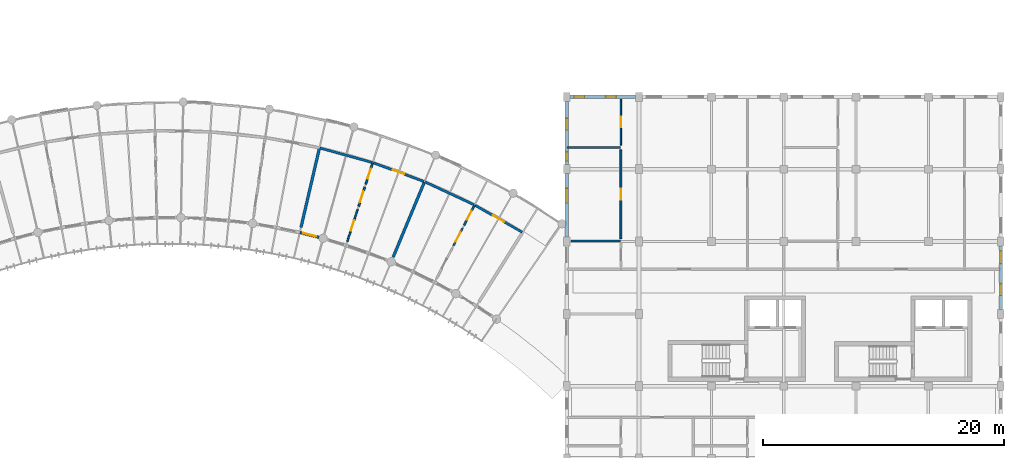
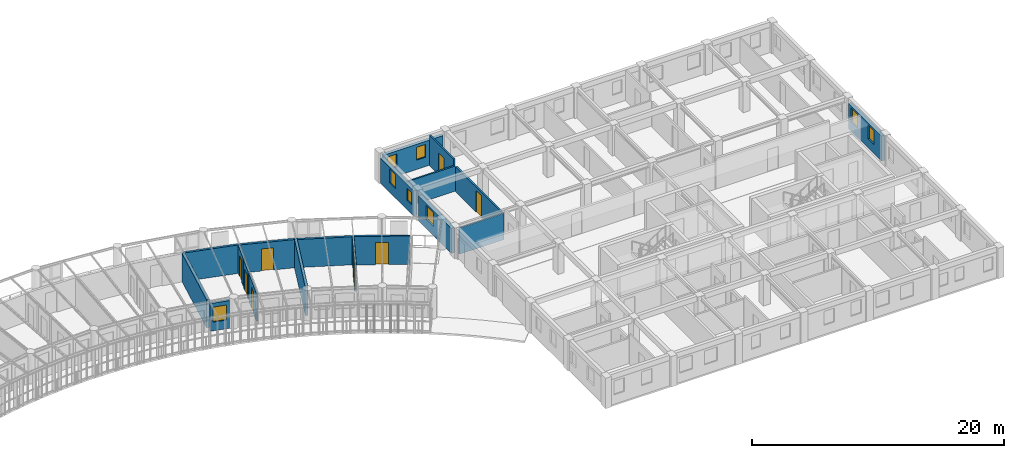
# One storey, part 80 of 100: 20 walls, 9 doors, 8 windows, 17 openings.
"""IFC4 building model written with IfcOpenShell, lengths in metres."""

from ifc_helpers import new_model, si_unit, direction, frame, frame_2d, origin, place, context, subcontext, project, spatial, rectangle, extrude, material, layer, layer_set, type_object, element, fill, save


model = new_model("IFC4")

# Units and contexts
model_context = context("Model", 3, precision=1e-05, world=origin(), true_north=direction((0.0, 1.0)))
body_context = subcontext(model_context, "Body", "Model", "MODEL_VIEW")
ifc_project = project(units=[si_unit("LENGTHUNIT", "METRE"), si_unit("AREAUNIT", "SQUARE_METRE"), si_unit("VOLUMEUNIT", "CUBIC_METRE"), si_unit("PLANEANGLEUNIT", "RADIAN"), si_unit("MASSUNIT", "GRAM", prefix="KILO"), si_unit("POWERUNIT", "WATT"), si_unit("THERMODYNAMICTEMPERATUREUNIT", "KELVIN")], contexts=[model_context])

# Site, building, storey
site_placement = place(None, origin())
site = spatial("IfcSite", under=ifc_project, at=site_placement, CompositionType="ELEMENT")
building_placement = place(site_placement, origin())
building = spatial("IfcBuilding", under=site, at=building_placement, Name="Ruvembo Vaulted Housing Court", CompositionType="ELEMENT")
storey_placement = place(building_placement, frame((0.0, 0.0, 10.89990234375)))
storey = spatial("IfcBuildingStorey", under=building, at=storey_placement, Name="L03", CompositionType="ELEMENT", Elevation=10.89990234375)

# Wall
ifc_material_1 = material(Name="Concrete Blockwork 200", Category="masonry")
ifc_layer_1 = layer(ifc_material_1, 0.199951171875, Name="Concrete Blockwork 200")
ifc_layer_set_1 = layer_set([ifc_layer_1], Name="Concrete Blockwork 200")
wall_type_1 = type_object("IfcWallType", Name="WL-CORR-200", PredefinedType="SOLIDWALL", material=ifc_layer_set_1)
wall_1_placement = place(storey_placement, frame((129.531982421875, 103.7568359375, 0.0), z_axis=(0.0, 0.0, 1.0), x_axis=(0.963830390038, -0.266516377055, 0.0)))
element("IfcWall", 1, at=wall_1_placement, inside=storey, type_object=wall_type_1, Name="L03 Suite SC3-L03-U6 Gallery Wall WL-INT-L03-01075", PredefinedType="SOLIDWALL", context=body_context, shape_type="SweptSolid", body=[
    extrude(rectangle(XDim=4.50146484375, YDim=0.199951171875, at=frame_2d((2.250732421875, 0.0))), origin(), (0.0, 0.0, 1.0), 2.76220703125),
])

# Wall, opening, door
wall_2_placement = place(storey_placement, frame((133.946533203125, 102.53271484375, 0.0), z_axis=(0.0, 0.0, 1.0), x_axis=(0.93839218154, -0.345572154006, 0.0)))
wall_2 = element("IfcWall", 2, at=wall_2_placement, inside=storey, type_object=wall_type_1, Name="L03 Suite SC3-L03-U6 Entrance WL-INT-L03-01076", PredefinedType="SOLIDWALL", context=body_context, shape_type="SweptSolid", body=[
    extrude(rectangle(XDim=4.501708984375, YDim=0.199951171875, at=frame_2d((2.2509765625, 0.0))), origin(), (0.0, 0.0, 1.0), 2.7421875),
])
opening_1_placement = place(wall_2_placement, frame((1.7607421875, 0.0, 0.0)))
opening_1 = element("IfcOpeningElement", 3, at=opening_1_placement, cuts=wall_2, Name="Opening FD2", PredefinedType="OPENING", context=body_context, shape_type="SweptSolid", body=[
    extrude(rectangle(XDim=0.97998046875, YDim=2.14990234375, at=frame_2d((0.489990234375, 1.074951171875))), frame((0.0, 0.10986328125, 0.0), z_axis=(0.0, -1.0, 0.0), x_axis=(1.0, 0.0, 0.0)), (0.0, 0.0, 1.0), 0.219970703125),
])
ifc_material_2 = material(Name="FSC Hardwood and Engineered Timber", Category="wood")
door_type_1 = type_object("IfcDoorType", Name="DR-FLAT-0980x2150", OperationType="NOTDEFINED", PredefinedType="DOOR", material=ifc_material_2)
door_1_placement = place(opening_1_placement, origin())
door_1 = element("IfcDoor", 4, at=door_1_placement, inside=storey, type_object=door_type_1, Name="L03 Suite SC3-L03-U6 Entrance Door DR-INT-L03-00604", OperationType="SINGLE_SWING_RIGHT", OverallHeight=2.14990234375, OverallWidth=0.97998046875, PredefinedType="DOOR", context=body_context, shape_type="SweptSolid", body=[
    extrude(rectangle(XDim=0.97998046875, YDim=2.14990234375, at=frame_2d((0.489990234375, 1.074951171875))), frame((0.0, 0.02490234375, 0.0), z_axis=(0.0, -1.0, 0.0), x_axis=(1.0, 0.0, 0.0)), (0.0, 0.0, 1.0), 0.050048828125),
])
fill(opening_1, door_1)

# Wall
wall_3_placement = place(storey_placement, frame((138.24462890625, 100.9462890625, 0.0), z_axis=(0.0, 0.0, 1.0), x_axis=(0.906512639591, -0.422178675755, 0.0)))
element("IfcWall", 5, at=wall_3_placement, inside=storey, type_object=wall_type_1, Name="L03 Suite SC3-L03-U7 Gallery Wall WL-INT-L03-01081", PredefinedType="SOLIDWALL", context=body_context, shape_type="SweptSolid", body=[
    extrude(rectangle(XDim=4.50146484375, YDim=0.199951171875, at=frame_2d((2.250732421875, 0.0))), origin(), (0.0, 0.0, 1.0), 2.72216796875),
])

# Wall, opening, door
wall_4_placement = place(storey_placement, frame((142.39599609375, 99.00927734375, 0.0), z_axis=(0.0, 0.0, 1.0), x_axis=(0.868376606973, -0.495905301909, 0.0)))
wall_4 = element("IfcWall", 6, at=wall_4_placement, inside=storey, type_object=wall_type_1, Name="L03 Suite SC3-L03-U7 Entrance WL-INT-L03-01082", PredefinedType="SOLIDWALL", context=body_context, shape_type="SweptSolid", body=[
    extrude(rectangle(XDim=4.501708984375, YDim=0.199951171875, at=frame_2d((2.2509765625, 0.0))), origin(), (0.0, 0.0, 1.0), 2.76220703125),
])
opening_2_placement = place(wall_4_placement, frame((1.725830078125, 0.0, 0.0)))
opening_2 = element("IfcOpeningElement", 7, at=opening_2_placement, cuts=wall_4, Name="Opening FD3", PredefinedType="OPENING", context=body_context, shape_type="SweptSolid", body=[
    extrude(rectangle(XDim=1.050048828125, YDim=2.14990234375, at=frame_2d((0.52490234375, 1.074951171875))), frame((0.0, 0.10986328125, 0.0), z_axis=(0.0, -1.0, 0.0), x_axis=(1.0, 0.0, 0.0)), (0.0, 0.0, 1.0), 0.219970703125),
])
door_type_2 = type_object("IfcDoorType", Name="DR-FLAT-1050x2150", OperationType="NOTDEFINED", PredefinedType="DOOR", material=ifc_material_2)
door_2_placement = place(opening_2_placement, origin())
door_2 = element("IfcDoor", 8, at=door_2_placement, inside=storey, type_object=door_type_2, Name="L03 Suite SC3-L03-U7 Entrance Door DR-INT-L03-00608", OperationType="SINGLE_SWING_RIGHT", OverallHeight=2.14990234375, OverallWidth=1.050048828125, PredefinedType="DOOR", context=body_context, shape_type="SweptSolid", body=[
    extrude(rectangle(XDim=1.050048828125, YDim=2.14990234375, at=frame_2d((0.52490234375, 1.074951171875))), frame((0.0, 0.02490234375, 0.0), z_axis=(0.0, -1.0, 0.0), x_axis=(1.0, 0.0, 0.0)), (0.0, 0.0, 1.0), 0.050048828125),
])
fill(opening_2, door_2)

# Walls
ifc_material_3 = material(Name="Acoustic Masonry Demising 230", Category="masonry")
ifc_layer_2 = layer(ifc_material_3, 0.22998046875, Name="Acoustic Masonry Demising 230")
ifc_layer_set_2 = layer_set([ifc_layer_2], Name="Acoustic Masonry Demising 230")
wall_type_2 = type_object("IfcWallType", Name="WL-DEM-230", PredefinedType="SOLIDWALL", material=ifc_layer_set_2)
wall_5_placement = place(storey_placement, frame((127.959716796875, 97.16748046875, 0.0), z_axis=(0.0, 0.0, 1.0), x_axis=(0.226349561734, 0.974046136434, 0.0)))
element("IfcWall", 9, at=wall_5_placement, inside=storey, type_object=wall_type_2, Name="L03 Suite SC3-L03-U5 Demising WL-INT-L03-01074", PredefinedType="SOLIDWALL", context=body_context, shape_type="SweptSolid", body=[
    extrude(rectangle(XDim=6.73583984375, YDim=0.22998046875, at=frame_2d((3.367919921875, 0.0))), origin(), (0.0, 0.0, 1.0), 2.7421875),
])
wall_6_placement = place(storey_placement, frame((135.60498046875, 94.707275390625, 0.0), z_axis=(0.0, 0.0, 1.0), x_axis=(0.384190705314, 0.923253758157, 0.0)))
element("IfcWall", 10, at=wall_6_placement, inside=storey, type_object=wall_type_2, Name="L03 Suite SC3-L03-U6 Demising WL-INT-L03-01080", PredefinedType="SOLIDWALL", context=body_context, shape_type="SweptSolid", body=[
    extrude(rectangle(XDim=6.73583984375, YDim=0.22998046875, at=frame_2d((3.367919921875, 0.0))), origin(), (0.0, 0.0, 1.0), 2.76220703125),
])

# Wall, opening, window
ifc_material_4 = material(Name="Rendered Masonry 235", Category="masonry")
ifc_layer_3 = layer(ifc_material_4, 0.235107421875, Name="Rendered Masonry 235")
ifc_layer_set_3 = layer_set([ifc_layer_3], Name="Rendered Masonry 235")
wall_type_3 = type_object("IfcWallType", Name="WL-EXT-235", PredefinedType="STANDARD", material=ifc_layer_set_3)
wall_7_placement = place(storey_placement, frame((127.88330078125, 96.74951171875, 0.0), z_axis=(0.0, 0.0, 1.0), x_axis=(0.969142943716, -0.246499400902, 0.0)))
wall_7 = element("IfcWall", 11, at=wall_7_placement, inside=storey, type_object=wall_type_3, Name="Scoop SC3 L03 Concave Balcony Wall 20", PredefinedType="STANDARD", context=body_context, shape_type="SweptSolid", body=[
    extrude(rectangle(XDim=1.622314453125, YDim=0.235107421875, at=frame_2d((0.81103515625, 0.0))), origin(), (0.0, 0.0, 1.0), 2.68408203125),
])
opening_3_placement = place(wall_7_placement, frame((0.26123046875, 0.0, 0.85009765625)))
opening_3 = element("IfcOpeningElement", 12, at=opening_3_placement, cuts=wall_7, Name="Opening W10", PredefinedType="OPENING", context=body_context, shape_type="SweptSolid", body=[
    extrude(rectangle(XDim=1.10009765625, YDim=1.449951171875, at=frame_2d((0.550048828125, 0.72509765625))), frame((0.0, 0.12744140625, 0.0), z_axis=(0.0, -1.0, 0.0), x_axis=(1.0, 0.0, 0.0)), (0.0, 0.0, 1.0), 0.255126953125),
])
ifc_material_5 = material(Name="Double Solar-Control Glazing in Aluminium Frame", Category="aluminium")
window_type_1 = type_object("IfcWindowType", Name="WIN-1100x1450", PartitioningType="SINGLE_PANEL", PredefinedType="WINDOW", material=ifc_material_5)
window_1_placement = place(opening_3_placement, origin())
window_1 = element("IfcWindow", 13, at=window_1_placement, inside=storey, type_object=window_type_1, Name="Scoop SC3 L03 Concave Window 20", OverallHeight=1.449951171875, OverallWidth=1.10009765625, PartitioningType="SINGLE_PANEL", PredefinedType="WINDOW", context=body_context, shape_type="SweptSolid", body=[
    extrude(rectangle(XDim=1.10009765625, YDim=1.449951171875, at=frame_2d((0.550048828125, 0.72509765625))), frame((0.0, 0.030029296875, 0.0), z_axis=(0.0, -1.0, 0.0), x_axis=(1.0, 0.0, 0.0)), (0.0, 0.0, 1.0), 0.06005859375),
])
fill(opening_3, window_1)

# Wall, openings, windows
ifc_material_6 = material(Name="Rendered Masonry 300", Category="masonry")
ifc_layer_4 = layer(ifc_material_6, 0.300048828125, Name="Rendered Masonry 300")
ifc_layer_set_4 = layer_set([ifc_layer_4], Name="Rendered Masonry 300")
wall_type_4 = type_object("IfcWallType", Name="WL-EXT-300", PredefinedType="STANDARD", material=ifc_layer_set_4)
wall_8_placement = place(storey_placement, frame((186.0, 90.375, 0.0), z_axis=(0.0, 0.0, 1.0), x_axis=(0.0, 1.0, 0.0)))
wall_8 = element("IfcWall", 14, at=wall_8_placement, inside=storey, type_object=wall_type_4, Name="Block D L03 Exterior Wall EAST #4", PredefinedType="STANDARD", context=body_context, shape_type="SweptSolid", body=[
    extrude(rectangle(XDim=5.25, YDim=0.300048828125, at=frame_2d((2.625, 0.0))), origin(), (0.0, 0.0, 1.0), 2.442138671875),
])
opening_4_placement = place(wall_8_placement, frame((1.16748046875, 0.0, 0.89990234375)))
opening_4 = element("IfcOpeningElement", 15, at=opening_4_placement, cuts=wall_8, Name="Opening W07", PredefinedType="OPENING", context=body_context, shape_type="SweptSolid", body=[
    extrude(rectangle(XDim=0.949951171875, YDim=1.35009765625, at=frame_2d((0.47509765625, 0.675048828125))), frame((0.0, 0.159912109375, 0.0), z_axis=(0.0, -1.0, 0.0), x_axis=(1.0, 0.0, 0.0)), (0.0, 0.0, 1.0), 0.320068359375),
])
opening_5_placement = place(wall_8_placement, frame((3.782470703125, 0.0, 0.89990234375)))
opening_5 = element("IfcOpeningElement", 16, at=opening_5_placement, cuts=wall_8, Name="Opening W09", PredefinedType="OPENING", context=body_context, shape_type="SweptSolid", body=[
    extrude(rectangle(XDim=1.050048828125, YDim=1.35009765625, at=frame_2d((0.52490234375, 0.675048828125))), frame((0.0, 0.159912109375, 0.0), z_axis=(0.0, -1.0, 0.0), x_axis=(1.0, 0.0, 0.0)), (0.0, 0.0, 1.0), 0.320068359375),
])
window_type_2 = type_object("IfcWindowType", Name="WIN-0950x1350", PartitioningType="SINGLE_PANEL", PredefinedType="WINDOW", material=ifc_material_5)
window_2_placement = place(opening_4_placement, origin())
window_2 = element("IfcWindow", 17, at=window_2_placement, inside=storey, type_object=window_type_2, Name="Block D L03 Window #1593", OverallHeight=1.35009765625, OverallWidth=0.949951171875, PartitioningType="SINGLE_PANEL", PredefinedType="WINDOW", context=body_context, shape_type="SweptSolid", body=[
    extrude(rectangle(XDim=0.949951171875, YDim=1.35009765625, at=frame_2d((0.47509765625, 0.675048828125))), frame((0.0, 0.030029296875, 0.0), z_axis=(0.0, -1.0, 0.0), x_axis=(1.0, 0.0, 0.0)), (0.0, 0.0, 1.0), 0.06005859375),
])
fill(opening_4, window_2)
window_type_3 = type_object("IfcWindowType", Name="WIN-1050x1350", PartitioningType="SINGLE_PANEL", PredefinedType="WINDOW", material=ifc_material_5)
window_3_placement = place(opening_5_placement, origin())
window_3 = element("IfcWindow", 18, at=window_3_placement, inside=storey, type_object=window_type_3, Name="Block D L03 Window #1594", OverallHeight=1.35009765625, OverallWidth=1.050048828125, PartitioningType="SINGLE_PANEL", PredefinedType="WINDOW", context=body_context, shape_type="SweptSolid", body=[
    extrude(rectangle(XDim=1.050048828125, YDim=1.35009765625, at=frame_2d((0.52490234375, 0.675048828125))), frame((0.0, 0.030029296875, 0.0), z_axis=(0.0, -1.0, 0.0), x_axis=(1.0, 0.0, 0.0)), (0.0, 0.0, 1.0), 0.06005859375),
])
fill(opening_5, window_3)

wall_9_placement = place(storey_placement, frame((155.72509765625, 108.0, 0.0), z_axis=(0.0, 0.0, 1.0), x_axis=(-1.0, 0.0, 0.0)))
wall_9 = element("IfcWall", 19, at=wall_9_placement, inside=storey, type_object=wall_type_4, Name="Block D L03 Exterior Wall STREET #6", PredefinedType="STANDARD", context=body_context, shape_type="SweptSolid", body=[
    extrude(rectangle(XDim=5.4501953125, YDim=0.300048828125, at=frame_2d((2.72509765625, 0.0))), origin(), (0.0, 0.0, 1.0), 2.442138671875),
])
opening_6_placement = place(wall_9_placement, frame((1.614990234375, 0.0, 0.89990234375)))
opening_6 = element("IfcOpeningElement", 20, at=opening_6_placement, cuts=wall_9, Name="Opening W03", PredefinedType="OPENING", context=body_context, shape_type="SweptSolid", body=[
    extrude(rectangle(XDim=0.85009765625, YDim=1.25, at=frame_2d((0.425048828125, 0.625))), frame((0.0, 0.159912109375, 0.0), z_axis=(0.0, -1.0, 0.0), x_axis=(1.0, 0.0, 0.0)), (0.0, 0.0, 1.0), 0.320068359375),
])
opening_7_placement = place(wall_9_placement, frame((4.25, 0.0, 0.89990234375)))
opening_7 = element("IfcOpeningElement", 21, at=opening_7_placement, cuts=wall_9, Name="Opening W03", PredefinedType="OPENING", context=body_context, shape_type="SweptSolid", body=[
    extrude(rectangle(XDim=0.85009765625, YDim=1.25, at=frame_2d((0.425048828125, 0.625))), frame((0.0, 0.159912109375, 0.0), z_axis=(0.0, -1.0, 0.0), x_axis=(1.0, 0.0, 0.0)), (0.0, 0.0, 1.0), 0.320068359375),
])
window_type_4 = type_object("IfcWindowType", Name="WIN-0850x1250", PartitioningType="SINGLE_PANEL", PredefinedType="WINDOW", material=ifc_material_5)
window_4_placement = place(opening_6_placement, origin())
window_4 = element("IfcWindow", 22, at=window_4_placement, inside=storey, type_object=window_type_4, Name="Block D L03 Window #1609", OverallHeight=1.25, OverallWidth=0.85009765625, PartitioningType="SINGLE_PANEL", PredefinedType="WINDOW", context=body_context, shape_type="SweptSolid", body=[
    extrude(rectangle(XDim=0.85009765625, YDim=1.25, at=frame_2d((0.425048828125, 0.625))), frame((0.0, 0.030029296875, 0.0), z_axis=(0.0, -1.0, 0.0), x_axis=(1.0, 0.0, 0.0)), (0.0, 0.0, 1.0), 0.06005859375),
])
fill(opening_6, window_4)
window_5_placement = place(opening_7_placement, origin())
window_5 = element("IfcWindow", 23, at=window_5_placement, inside=storey, type_object=window_type_4, Name="Block D L03 Window #1610", OverallHeight=1.25, OverallWidth=0.85009765625, PartitioningType="SINGLE_PANEL", PredefinedType="WINDOW", context=body_context, shape_type="SweptSolid", body=[
    extrude(rectangle(XDim=0.85009765625, YDim=1.25, at=frame_2d((0.425048828125, 0.625))), frame((0.0, 0.030029296875, 0.0), z_axis=(0.0, -1.0, 0.0), x_axis=(1.0, 0.0, 0.0)), (0.0, 0.0, 1.0), 0.06005859375),
])
fill(opening_7, window_5)

wall_10_placement = place(storey_placement, frame((150.0, 107.625, 0.0), z_axis=(0.0, 0.0, 1.0), x_axis=(0.0, -1.0, 0.0)))
wall_10 = element("IfcWall", 24, at=wall_10_placement, inside=storey, type_object=wall_type_4, Name="Block D L03 Exterior Wall WEST #1", PredefinedType="STANDARD", context=body_context, shape_type="SweptSolid", body=[
    extrude(rectangle(XDim=5.25, YDim=0.300048828125, at=frame_2d((2.625, 0.0))), origin(), (0.0, 0.0, 1.0), 2.442138671875),
])
opening_8_placement = place(wall_10_placement, frame((1.41748046875, 0.0, 0.89990234375)))
opening_8 = element("IfcOpeningElement", 25, at=opening_8_placement, cuts=wall_10, Name="Opening W07", PredefinedType="OPENING", context=body_context, shape_type="SweptSolid", body=[
    extrude(rectangle(XDim=0.949951171875, YDim=1.35009765625, at=frame_2d((0.47509765625, 0.675048828125))), frame((0.0, 0.159912109375, 0.0), z_axis=(0.0, -1.0, 0.0), x_axis=(1.0, 0.0, 0.0)), (0.0, 0.0, 1.0), 0.320068359375),
])
opening_9_placement = place(wall_10_placement, frame((4.1826171875, 0.0, 0.89990234375)))
opening_9 = element("IfcOpeningElement", 26, at=opening_9_placement, cuts=wall_10, Name="Opening W01", PredefinedType="OPENING", context=body_context, shape_type="SweptSolid", body=[
    extrude(rectangle(XDim=0.75, YDim=1.14990234375, at=frame_2d((0.375, 0.574951171875))), frame((0.0, 0.159912109375, 0.0), z_axis=(0.0, -1.0, 0.0), x_axis=(1.0, 0.0, 0.0)), (0.0, 0.0, 1.0), 0.320068359375),
])
window_type_5 = type_object("IfcWindowType", Name="WIN-0750x1150", PartitioningType="SINGLE_PANEL", PredefinedType="WINDOW", material=ifc_material_5)
window_6_placement = place(opening_9_placement, origin())
window_6 = element("IfcWindow", 27, at=window_6_placement, inside=storey, type_object=window_type_5, Name="Block D L03 Window #1612", OverallHeight=1.14990234375, OverallWidth=0.75, PartitioningType="SINGLE_PANEL", PredefinedType="WINDOW", context=body_context, shape_type="SweptSolid", body=[
    extrude(rectangle(XDim=0.75, YDim=1.14990234375, at=frame_2d((0.375, 0.574951171875))), frame((0.0, 0.030029296875, 0.0), z_axis=(0.0, -1.0, 0.0), x_axis=(1.0, 0.0, 0.0)), (0.0, 0.0, 1.0), 0.06005859375),
])
fill(opening_9, window_6)
window_7_placement = place(opening_8_placement, origin())
window_7 = element("IfcWindow", 28, at=window_7_placement, inside=storey, type_object=window_type_2, Name="Block D L03 Window #1611", OverallHeight=1.35009765625, OverallWidth=0.949951171875, PartitioningType="SINGLE_PANEL", PredefinedType="WINDOW", context=body_context, shape_type="SweptSolid", body=[
    extrude(rectangle(XDim=0.949951171875, YDim=1.35009765625, at=frame_2d((0.47509765625, 0.675048828125))), frame((0.0, 0.030029296875, 0.0), z_axis=(0.0, -1.0, 0.0), x_axis=(1.0, 0.0, 0.0)), (0.0, 0.0, 1.0), 0.06005859375),
])
fill(opening_8, window_7)

# Wall, opening, window
wall_11_placement = place(storey_placement, frame((150.0, 101.625, 0.0), z_axis=(0.0, 0.0, 1.0), x_axis=(0.0, -1.0, 0.0)))
wall_11 = element("IfcWall", 29, at=wall_11_placement, inside=storey, type_object=wall_type_4, Name="Block D L03 Exterior Wall WEST #2", PredefinedType="STANDARD", context=body_context, shape_type="SweptSolid", body=[
    extrude(rectangle(XDim=5.25, YDim=0.300048828125, at=frame_2d((2.625, 0.0))), origin(), (0.0, 0.0, 1.0), 2.442138671875),
])
opening_10_placement = place(wall_11_placement, frame((1.2138671875, 0.0, 0.89990234375)))
opening_10 = element("IfcOpeningElement", 30, at=opening_10_placement, cuts=wall_11, Name="Opening W12", PredefinedType="OPENING", context=body_context, shape_type="SweptSolid", body=[
    extrude(rectangle(XDim=1.199951171875, YDim=1.35009765625, at=frame_2d((0.60009765625, 0.675048828125))), frame((0.0, 0.159912109375, 0.0), z_axis=(0.0, -1.0, 0.0), x_axis=(1.0, 0.0, 0.0)), (0.0, 0.0, 1.0), 0.320068359375),
])
window_type_6 = type_object("IfcWindowType", Name="WIN-1200x1350", PartitioningType="SINGLE_PANEL", PredefinedType="WINDOW", material=ifc_material_5)
window_8_placement = place(opening_10_placement, origin())
window_8 = element("IfcWindow", 31, at=window_8_placement, inside=storey, type_object=window_type_6, Name="Block D L03 Window #1613", OverallHeight=1.35009765625, OverallWidth=1.199951171875, PartitioningType="SINGLE_PANEL", PredefinedType="WINDOW", context=body_context, shape_type="SweptSolid", body=[
    extrude(rectangle(XDim=1.199951171875, YDim=1.35009765625, at=frame_2d((0.60009765625, 0.675048828125))), frame((0.0, 0.030029296875, 0.0), z_axis=(0.0, -1.0, 0.0), x_axis=(1.0, 0.0, 0.0)), (0.0, 0.0, 1.0), 0.06005859375),
])
fill(opening_10, window_8)

# Wall, opening, door
ifc_material_7 = material(Name="Plasterboard Stud Partition 125", Category="gypsum")
ifc_layer_5 = layer(ifc_material_7, 0.125, Name="Plasterboard Stud Partition 125")
ifc_layer_set_5 = layer_set([ifc_layer_5], Name="Plasterboard Stud Partition 125")
wall_type_5 = type_object("IfcWallType", Name="WL-PART-125", PredefinedType="PARTITIONING", material=ifc_layer_set_5)
wall_12_placement = place(storey_placement, frame((154.5, 103.989990234375, 0.0), z_axis=(0.0, 0.0, 1.0), x_axis=(0.0, 1.0, 0.0)))
wall_12 = element("IfcWall", 32, at=wall_12_placement, inside=storey, type_object=wall_type_5, Name="L03 Flat D-L03-N1 Bedroom 1 WL-INT-L03-00959", PredefinedType="PARTITIONING", context=body_context, shape_type="SweptSolid", body=[
    extrude(rectangle(XDim=3.820068359375, YDim=0.125, at=frame_2d((1.91015625, 0.0))), origin(), (0.0, 0.0, 1.0), 2.960205078125),
])
opening_11_placement = place(wall_12_placement, frame((1.469970703125, 0.0, 0.0)))
opening_11 = element("IfcOpeningElement", 33, at=opening_11_placement, cuts=wall_12, Name="Opening ID3", PredefinedType="OPENING", context=body_context, shape_type="SweptSolid", body=[
    extrude(rectangle(XDim=0.8798828125, YDim=2.10009765625, at=frame_2d((0.43994140625, 1.050048828125))), frame((0.0, 0.072509765625, 0.0), z_axis=(0.0, -1.0, 0.0), x_axis=(1.0, 0.0, 0.0)), (0.0, 0.0, 1.0), 0.14501953125),
])
door_type_3 = type_object("IfcDoorType", Name="DR-ROOM-0880x2100", OperationType="NOTDEFINED", PredefinedType="DOOR", material=ifc_material_2)
door_3_placement = place(opening_11_placement, origin())
door_3 = element("IfcDoor", 34, at=door_3_placement, inside=storey, type_object=door_type_3, Name="L03 Flat D-L03-N1 Bedroom 1 Door DR-INT-L03-00527", OperationType="SINGLE_SWING_LEFT", OverallHeight=2.10009765625, OverallWidth=0.8798828125, PredefinedType="DOOR", context=body_context, shape_type="SweptSolid", body=[
    extrude(rectangle(XDim=0.8798828125, YDim=2.10009765625, at=frame_2d((0.43994140625, 1.050048828125))), frame((0.0, 0.02490234375, 0.0), z_axis=(0.0, -1.0, 0.0), x_axis=(1.0, 0.0, 0.0)), (0.0, 0.0, 1.0), 0.050048828125),
])
fill(opening_11, door_3)

ifc_material_8 = material(Name="Acoustic Stud Partition 135", Category="gypsum")
ifc_layer_6 = layer(ifc_material_8, 0.135009765625, Name="Acoustic Stud Partition 135")
ifc_layer_set_6 = layer_set([ifc_layer_6], Name="Acoustic Stud Partition 135")
wall_type_6 = type_object("IfcWallType", Name="WL-PART-135", PredefinedType="PARTITIONING", material=ifc_layer_set_6)
wall_13_placement = place(storey_placement, frame((131.80419921875, 96.0048828125, 0.0), z_axis=(0.0, 0.0, 1.0), x_axis=(0.306243449584, 0.951953228676, 0.0)))
wall_13 = element("IfcWall", 35, at=wall_13_placement, inside=storey, type_object=wall_type_6, Name="L03 Suite SC3-L03-U6 Bedroom WL-INT-L03-01077", PredefinedType="PARTITIONING", context=body_context, shape_type="SweptSolid", body=[
    extrude(rectangle(XDim=2.7998046875, YDim=0.135009765625, at=frame_2d((1.39990234375, 0.0))), origin(), (0.0, 0.0, 1.0), 2.72216796875),
])
opening_12_placement = place(wall_13_placement, frame((0.9599609375, 0.0, 0.0)))
opening_12 = element("IfcOpeningElement", 36, at=opening_12_placement, cuts=wall_13, Name="Opening ID3", PredefinedType="OPENING", context=body_context, shape_type="SweptSolid", body=[
    extrude(rectangle(XDim=0.8798828125, YDim=2.10009765625, at=frame_2d((0.43994140625, 1.050048828125))), frame((0.0, 0.077392578125, 0.0), z_axis=(0.0, -1.0, 0.0), x_axis=(1.0, 0.0, 0.0)), (0.0, 0.0, 1.0), 0.155029296875),
])
door_4_placement = place(opening_12_placement, origin())
door_4 = element("IfcDoor", 37, at=door_4_placement, inside=storey, type_object=door_type_3, Name="L03 Suite SC3-L03-U6 Bedroom Door DR-INT-L03-00605", OperationType="SINGLE_SWING_LEFT", OverallHeight=2.10009765625, OverallWidth=0.8798828125, PredefinedType="DOOR", context=body_context, shape_type="SweptSolid", body=[
    extrude(rectangle(XDim=0.8798828125, YDim=2.10009765625, at=frame_2d((0.43994140625, 1.050048828125))), frame((0.0, 0.02490234375, 0.0), z_axis=(0.0, -1.0, 0.0), x_axis=(1.0, 0.0, 0.0)), (0.0, 0.0, 1.0), 0.050048828125),
])
fill(opening_12, door_4)

# Walls
ifc_material_9 = material(Name="Moisture-Resistant Wet Partition 150", Category="gypsum")
ifc_layer_7 = layer(ifc_material_9, 0.14990234375, Name="Moisture-Resistant Wet Partition 150")
ifc_layer_set_7 = layer_set([ifc_layer_7], Name="Moisture-Resistant Wet Partition 150")
wall_type_7 = type_object("IfcWallType", Name="WL-PART-150", PredefinedType="PARTITIONING", material=ifc_layer_set_7)
wall_14_placement = place(storey_placement, frame((150.0400390625, 103.800048828125, 0.0), z_axis=(0.0, 0.0, 1.0), x_axis=(1.0, 0.0, 0.0)))
element("IfcWall", 38, at=wall_14_placement, inside=storey, type_object=wall_type_7, Name="L03 Flat D-L03-N1 Wet Wall 1 WL-INT-L03-00962", PredefinedType="PARTITIONING", context=body_context, shape_type="SweptSolid", body=[
    extrude(rectangle(XDim=4.419921875, YDim=0.14990234375, at=frame_2d((2.2099609375, 0.0))), origin(), (0.0, 0.0, 1.0), 2.442138671875),
])
wall_15_placement = place(storey_placement, frame((150.360107421875, 96.050048828125, 0.0), z_axis=(0.0, 0.0, 1.0), x_axis=(1.0, 0.0, 0.0)))
element("IfcWall", 39, at=wall_15_placement, inside=storey, type_object=wall_type_7, Name="L03 Flat D-L03-N1 Wet Wall 2 WL-INT-L03-00963", PredefinedType="PARTITIONING", context=body_context, shape_type="SweptSolid", body=[
    extrude(rectangle(XDim=4.099853515625, YDim=0.14990234375, at=frame_2d((2.0498046875, 0.0))), origin(), (0.0, 0.0, 1.0), 2.548095703125),
])

# Wall, opening, door
wall_16_placement = place(storey_placement, frame((133.333251953125, 100.7568359375, 0.0), z_axis=(0.0, 0.0, 1.0), x_axis=(0.306258297612, 0.951948451936, 0.0)))
wall_16 = element("IfcWall", 40, at=wall_16_placement, inside=storey, type_object=wall_type_7, Name="L03 Suite SC3-L03-U6 Bathroom WL-INT-L03-01079", PredefinedType="PARTITIONING", context=body_context, shape_type="SweptSolid", body=[
    extrude(rectangle(XDim=1.83984375, YDim=0.14990234375, at=frame_2d((0.919921875, 0.0))), origin(), (0.0, 0.0, 1.0), 2.72216796875),
])
opening_13_placement = place(wall_16_placement, frame((0.4951171875, 0.0, 0.0)))
opening_13 = element("IfcOpeningElement", 41, at=opening_13_placement, cuts=wall_16, Name="Opening ID2", PredefinedType="OPENING", context=body_context, shape_type="SweptSolid", body=[
    extrude(rectangle(XDim=0.85009765625, YDim=2.10009765625, at=frame_2d((0.425048828125, 1.050048828125))), frame((0.0, 0.0849609375, 0.0), z_axis=(0.0, -1.0, 0.0), x_axis=(1.0, 0.0, 0.0)), (0.0, 0.0, 1.0), 0.169921875),
])
door_type_4 = type_object("IfcDoorType", Name="DR-WET-0850x2100", OperationType="NOTDEFINED", PredefinedType="DOOR", material=ifc_material_2)
door_5_placement = place(opening_13_placement, origin())
door_5 = element("IfcDoor", 42, at=door_5_placement, inside=storey, type_object=door_type_4, Name="L03 Suite SC3-L03-U6 Bathroom Door DR-INT-L03-00607", OperationType="SINGLE_SWING_LEFT", OverallHeight=2.10009765625, OverallWidth=0.85009765625, PredefinedType="DOOR", context=body_context, shape_type="SweptSolid", body=[
    extrude(rectangle(XDim=0.85009765625, YDim=2.10009765625, at=frame_2d((0.425048828125, 1.050048828125))), frame((0.0, 0.02490234375, 0.0), z_axis=(0.0, -1.0, 0.0), x_axis=(1.0, 0.0, 0.0)), (0.0, 0.0, 1.0), 0.050048828125),
])
fill(opening_13, door_5)

wall_17_placement = place(storey_placement, frame((141.497802734375, 97.359130859375, 0.0), z_axis=(0.0, 0.0, 1.0), x_axis=(0.459379600499, 0.888240047873, 0.0)))
wall_17 = element("IfcWall", 43, at=wall_17_placement, inside=storey, type_object=wall_type_7, Name="L03 Suite SC3-L03-U7 Bathroom WL-INT-L03-01085", PredefinedType="PARTITIONING", context=body_context, shape_type="SweptSolid", body=[
    extrude(rectangle(XDim=1.83984375, YDim=0.14990234375, at=frame_2d((0.919921875, 0.0))), origin(), (0.0, 0.0, 1.0), 2.7421875),
])
opening_14_placement = place(wall_17_placement, frame((0.4951171875, 0.0, 0.0)))
opening_14 = element("IfcOpeningElement", 44, at=opening_14_placement, cuts=wall_17, Name="Opening ID2", PredefinedType="OPENING", context=body_context, shape_type="SweptSolid", body=[
    extrude(rectangle(XDim=0.85009765625, YDim=2.10009765625, at=frame_2d((0.425048828125, 1.050048828125))), frame((0.0, 0.0849609375, 0.0), z_axis=(0.0, -1.0, 0.0), x_axis=(1.0, 0.0, 0.0)), (0.0, 0.0, 1.0), 0.169921875),
])
door_6_placement = place(opening_14_placement, origin())
door_6 = element("IfcDoor", 45, at=door_6_placement, inside=storey, type_object=door_type_4, Name="L03 Suite SC3-L03-U7 Bathroom Door DR-INT-L03-00611", OperationType="SINGLE_SWING_LEFT", OverallHeight=2.10009765625, OverallWidth=0.85009765625, PredefinedType="DOOR", context=body_context, shape_type="SweptSolid", body=[
    extrude(rectangle(XDim=0.85009765625, YDim=2.10009765625, at=frame_2d((0.425048828125, 1.050048828125))), frame((0.0, 0.02490234375, 0.0), z_axis=(0.0, -1.0, 0.0), x_axis=(1.0, 0.0, 0.0)), (0.0, 0.0, 1.0), 0.050048828125),
])
fill(opening_14, door_6)

ifc_material_10 = material(Name="Acoustic Service Chase Wall 160", Category="gypsum")
ifc_layer_8 = layer(ifc_material_10, 0.159912109375, Name="Acoustic Service Chase Wall 160")
ifc_layer_set_8 = layer_set([ifc_layer_8], Name="Acoustic Service Chase Wall 160")
wall_type_8 = type_object("IfcWallType", Name="WL-PLUMB-160", PredefinedType="PLUMBINGWALL", material=ifc_layer_set_8)
wall_18_placement = place(storey_placement, frame((154.5, 96.239990234375, 0.0), z_axis=(0.0, 0.0, 1.0), x_axis=(0.0, 1.0, 0.0)))
wall_18 = element("IfcWall", 46, at=wall_18_placement, inside=storey, type_object=wall_type_8, Name="L03 Flat D-L03-N1 Kitchen WL-INT-L03-00960", PredefinedType="PLUMBINGWALL", context=body_context, shape_type="SweptSolid", body=[
    extrude(rectangle(XDim=7.3701171875, YDim=0.159912109375, at=frame_2d((3.68505859375, 0.0))), origin(), (0.0, 0.0, 1.0), 2.442138671875),
])
opening_15_placement = place(wall_18_placement, frame((3.235107421875, 0.0, 0.0)))
opening_15 = element("IfcOpeningElement", 47, at=opening_15_placement, cuts=wall_18, Name="Opening ID1", PredefinedType="OPENING", context=body_context, shape_type="SweptSolid", body=[
    extrude(rectangle(XDim=0.89990234375, YDim=2.10009765625, at=frame_2d((0.449951171875, 1.050048828125))), frame((0.0, 0.08984375, 0.0), z_axis=(0.0, -1.0, 0.0), x_axis=(1.0, 0.0, 0.0)), (0.0, 0.0, 1.0), 0.179931640625),
])
door_type_5 = type_object("IfcDoorType", Name="DR-ROOM-0900x2100", OperationType="NOTDEFINED", PredefinedType="DOOR", material=ifc_material_2)
door_7_placement = place(opening_15_placement, origin())
door_7 = element("IfcDoor", 48, at=door_7_placement, inside=storey, type_object=door_type_5, Name="L03 Flat D-L03-N1 Kitchen Door DR-INT-L03-00528", OperationType="SINGLE_SWING_RIGHT", OverallHeight=2.10009765625, OverallWidth=0.89990234375, PredefinedType="DOOR", context=body_context, shape_type="SweptSolid", body=[
    extrude(rectangle(XDim=0.89990234375, YDim=2.10009765625, at=frame_2d((0.449951171875, 1.050048828125))), frame((0.0, 0.02490234375, 0.0), z_axis=(0.0, -1.0, 0.0), x_axis=(1.0, 0.0, 0.0)), (0.0, 0.0, 1.0), 0.050048828125),
])
fill(opening_15, door_7)

wall_19_placement = place(storey_placement, frame((132.7451171875, 98.92919921875, 0.0), z_axis=(0.0, 0.0, 1.0), x_axis=(0.306388026226, 0.95190670624, 0.0)))
wall_19 = element("IfcWall", 49, at=wall_19_placement, inside=storey, type_object=wall_type_8, Name="L03 Suite SC3-L03-U6 Kitchen WL-INT-L03-01078", PredefinedType="PLUMBINGWALL", context=body_context, shape_type="SweptSolid", body=[
    extrude(rectangle(XDim=1.64794921875, YDim=0.159912109375, at=frame_2d((0.823974609375, 0.0))), origin(), (0.0, 0.0, 1.0), 2.72216796875),
])
opening_16_placement = place(wall_19_placement, frame((0.3740234375, 0.0, 0.0)))
opening_16 = element("IfcOpeningElement", 50, at=opening_16_placement, cuts=wall_19, Name="Opening ID1", PredefinedType="OPENING", context=body_context, shape_type="SweptSolid", body=[
    extrude(rectangle(XDim=0.89990234375, YDim=2.10009765625, at=frame_2d((0.449951171875, 1.050048828125))), frame((0.0, 0.08984375, 0.0), z_axis=(0.0, -1.0, 0.0), x_axis=(1.0, 0.0, 0.0)), (0.0, 0.0, 1.0), 0.179931640625),
])
door_8_placement = place(opening_16_placement, origin())
door_8 = element("IfcDoor", 51, at=door_8_placement, inside=storey, type_object=door_type_5, Name="L03 Suite SC3-L03-U6 Kitchen Door DR-INT-L03-00606", OperationType="SINGLE_SWING_RIGHT", OverallHeight=2.10009765625, OverallWidth=0.89990234375, PredefinedType="DOOR", context=body_context, shape_type="SweptSolid", body=[
    extrude(rectangle(XDim=0.89990234375, YDim=2.10009765625, at=frame_2d((0.449951171875, 1.050048828125))), frame((0.0, 0.02490234375, 0.0), z_axis=(0.0, -1.0, 0.0), x_axis=(1.0, 0.0, 0.0)), (0.0, 0.0, 1.0), 0.050048828125),
])
fill(opening_16, door_8)

wall_20_placement = place(storey_placement, frame((140.615478515625, 95.65380859375, 0.0), z_axis=(0.0, 0.0, 1.0), x_axis=(0.459495453195, 0.888180121649, 0.0)))
wall_20 = element("IfcWall", 52, at=wall_20_placement, inside=storey, type_object=wall_type_8, Name="L03 Suite SC3-L03-U7 Kitchen WL-INT-L03-01084", PredefinedType="PLUMBINGWALL", context=body_context, shape_type="SweptSolid", body=[
    extrude(rectangle(XDim=1.648193359375, YDim=0.159912109375, at=frame_2d((0.82421875, 0.0))), origin(), (0.0, 0.0, 1.0), 2.7421875),
])
opening_17_placement = place(wall_20_placement, frame((0.3740234375, 0.0, 0.0)))
opening_17 = element("IfcOpeningElement", 53, at=opening_17_placement, cuts=wall_20, Name="Opening ID1", PredefinedType="OPENING", context=body_context, shape_type="SweptSolid", body=[
    extrude(rectangle(XDim=0.89990234375, YDim=2.10009765625, at=frame_2d((0.449951171875, 1.050048828125))), frame((0.0, 0.08984375, 0.0), z_axis=(0.0, -1.0, 0.0), x_axis=(1.0, 0.0, 0.0)), (0.0, 0.0, 1.0), 0.179931640625),
])
door_9_placement = place(opening_17_placement, origin())
door_9 = element("IfcDoor", 54, at=door_9_placement, inside=storey, type_object=door_type_5, Name="L03 Suite SC3-L03-U7 Kitchen Door DR-INT-L03-00610", OperationType="SINGLE_SWING_RIGHT", OverallHeight=2.10009765625, OverallWidth=0.89990234375, PredefinedType="DOOR", context=body_context, shape_type="SweptSolid", body=[
    extrude(rectangle(XDim=0.89990234375, YDim=2.10009765625, at=frame_2d((0.449951171875, 1.050048828125))), frame((0.0, 0.02490234375, 0.0), z_axis=(0.0, -1.0, 0.0), x_axis=(1.0, 0.0, 0.0)), (0.0, 0.0, 1.0), 0.050048828125),
])
fill(opening_17, door_9)

save(model, "model.ifc")
